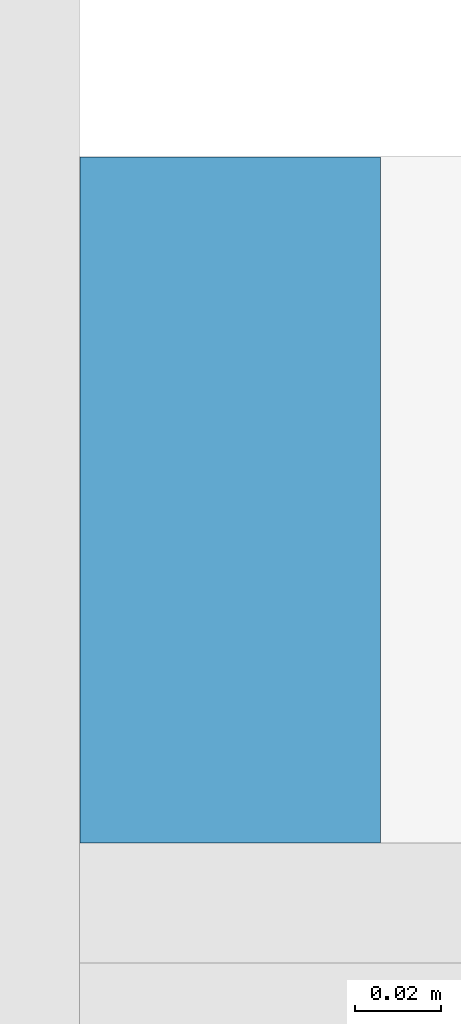
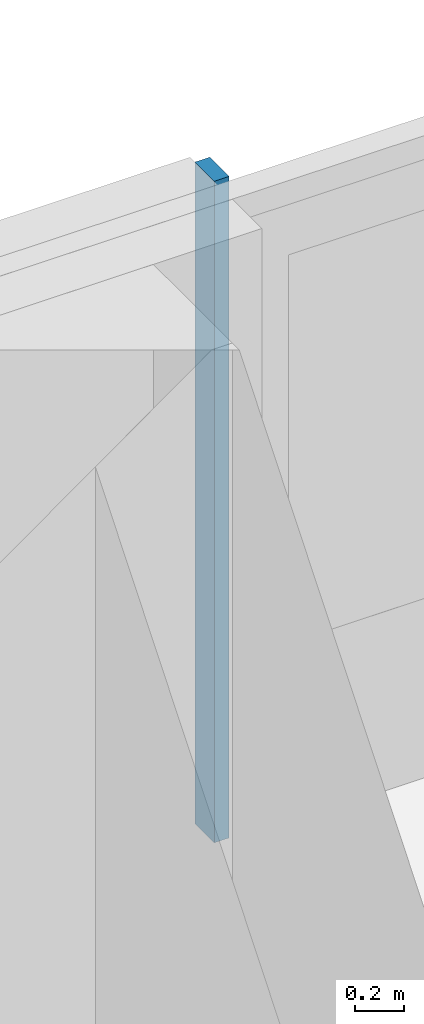
# One storey, part 9 of 30: 1 member, 1 element without a shape of its own.
"""IFC4 building model written with IfcOpenShell, lengths in metres."""

from ifc_helpers import new_model, si_unit, direction, frame, origin, origin_2d, place, context, subcontext, project, spatial, rectangle, extrude, material, material_profile, profile_set, type_object, element, aggregate, save


model = new_model("IFC4")

# Units and contexts
model_context = context("Model", 3, precision=1e-05, world=origin(), true_north=direction((0.0, 1.0)))
body_context = subcontext(model_context, "Body", "Model", "MODEL_VIEW")
ifc_project = project(units=[si_unit("LENGTHUNIT", "METRE"), si_unit("AREAUNIT", "SQUARE_METRE"), si_unit("VOLUMEUNIT", "CUBIC_METRE"), si_unit("PLANEANGLEUNIT", "RADIAN"), si_unit("MASSUNIT", "GRAM", prefix="KILO")], contexts=[model_context])

# Site, building, storey
site_placement = place(None, origin())
site = spatial("IfcSite", under=ifc_project, at=site_placement, CompositionType="ELEMENT")
building_placement = place(site_placement, origin())
building = spatial("IfcBuilding", under=site, at=building_placement, Name="Saffron Gate Tower", CompositionType="ELEMENT")
storey_placement = place(building_placement, frame((0.0, 0.0, 245.10009765625)))
storey = spatial("IfcBuildingStorey", under=building, at=storey_placement, Name="L60", CompositionType="ELEMENT", Elevation=245.10009765625)

# Curtain wall, member
ifc_material = material(Name="Aluminium, bronze anodised", Category="aluminium")
curtain_wall_type = type_object("IfcCurtainWallType", Name="CWS3 curtain wall rear facade", PredefinedType="NOTDEFINED", material=ifc_material)
curtain_wall_placement = place(storey_placement, origin())
curtain_wall = element("IfcCurtainWall", 1, at=curtain_wall_placement, inside=storey, type_object=curtain_wall_type, Name="CWS3 run 7", PredefinedType="NOTDEFINED")
ifc_material_profile = material_profile(ifc_material, rectangle(XDim=0.159912109375, YDim=0.070068359375, at=origin_2d()))
ifc_profile_set = profile_set([ifc_material_profile], Name="Aluminium, bronze anodised")
member_type = type_object("IfcMemberType", Name="CWS3 mullion 70x160", PredefinedType="MULLION", material=ifc_profile_set)
member_placement = place(storey_placement, frame((108.60009765625, 75.52001953125, 0.0), z_axis=(0.0, 0.0, 1.0), x_axis=(0.0, -1.0, 0.0)))
member = element("IfcMember", 2, at=member_placement, type_object=member_type, Name="CWS3 mullion 3", PredefinedType="MULLION", context=body_context, shape_type="SweptSolid", body=[
    extrude(rectangle(XDim=0.159912109375, YDim=0.070068359375, at=origin_2d()), origin(), (0.0, 0.0, 1.0), 3.31982421875),
])
aggregate(curtain_wall, [member])

save(model, "model.ifc")
